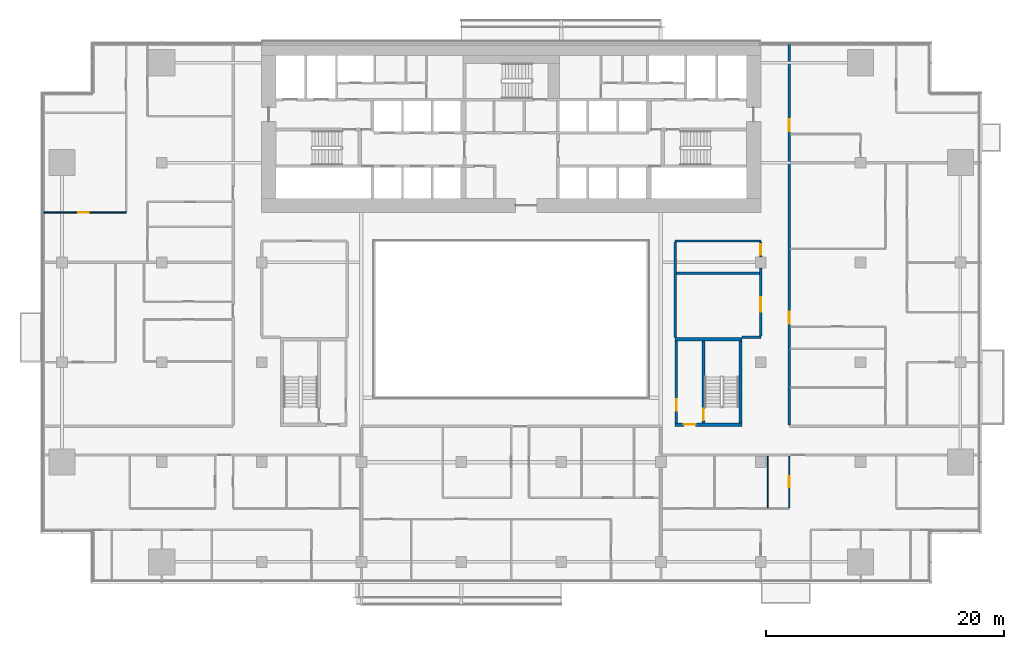
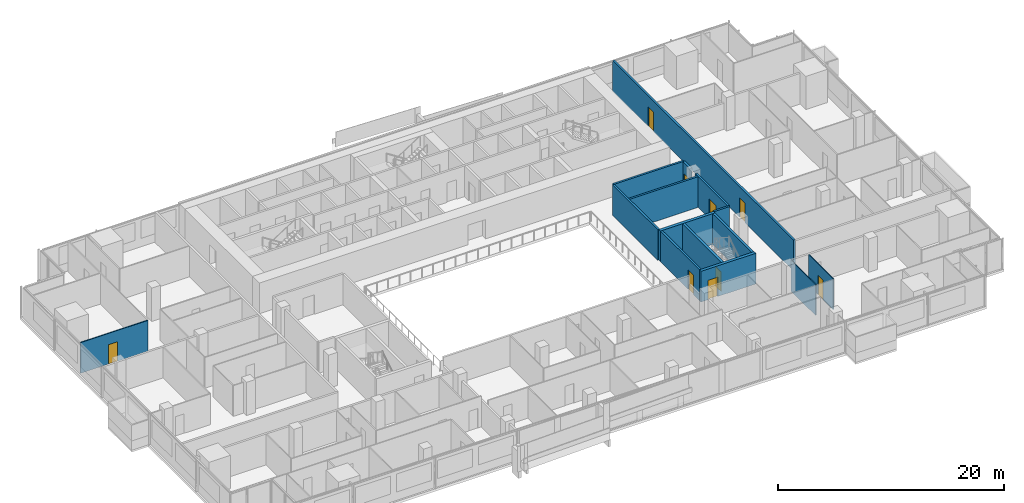
# One storey, part 19 of 26: 15 walls, 9 doors, 9 openings.
"""IFC4 building model written with IfcOpenShell, lengths in metres."""

from ifc_helpers import new_model, si_unit, direction, frame, frame_2d, origin, place, context, subcontext, project, spatial, rectangle, extrude, material, layer, layer_set, type_object, element, fill, save


model = new_model("IFC4")

# Units and contexts
model_context = context("Model", 3, precision=1e-05, world=origin(), true_north=direction((0.0, 1.0)))
body_context = subcontext(model_context, "Body", "Model", "MODEL_VIEW")
ifc_project = project(units=[si_unit("LENGTHUNIT", "METRE"), si_unit("AREAUNIT", "SQUARE_METRE"), si_unit("VOLUMEUNIT", "CUBIC_METRE"), si_unit("PLANEANGLEUNIT", "RADIAN"), si_unit("MASSUNIT", "GRAM", prefix="KILO")], contexts=[model_context])

# Site, building, storey
site_placement = place(None, origin())
site = spatial("IfcSite", under=ifc_project, at=site_placement, CompositionType="ELEMENT")
building_placement = place(site_placement, origin())
building = spatial("IfcBuilding", under=site, at=building_placement, Name="Saffron Gate Tower", CompositionType="ELEMENT")
storey_placement = place(building_placement, frame((0.0, 0.0, 62.39990234375)))
storey = spatial("IfcBuildingStorey", under=building, at=storey_placement, Name="L14", CompositionType="ELEMENT", Elevation=62.39990234375)

# Wall, opening, door
ifc_material_1 = material(Name="Gypsum board partition on steel studs", Category="steel")
ifc_layer_1 = layer(ifc_material_1, 0.199951171875)
ifc_layer_set_1 = layer_set([ifc_layer_1], Name="CW10 Core partition 200")
wall_type_1 = type_object("IfcWallType", Name="CW10 Core partition 200", PredefinedType="PARTITIONING", material=ifc_layer_set_1)
wall_1_placement = place(storey_placement, frame((101.5, 43.5, 0.0), z_axis=(0.0, 0.0, 1.0), x_axis=(0.0, 1.0, 0.0)))
wall_1 = element("IfcWall", 1, at=wall_1_placement, inside=storey, type_object=wall_type_1, Name="Wall CW10-L14-E-2", PredefinedType="PARTITIONING", context=body_context, shape_type="SweptSolid", body=[
    extrude(rectangle(XDim=6.89990234375, YDim=0.199951171875, at=frame_2d((3.449951171875, 0.0))), origin(), (0.0, 0.0, 1.0), 3.320068359375),
])
opening_1_placement = place(wall_1_placement, frame((1.0, 0.0, 0.0)))
opening_1 = element("IfcOpeningElement", 2, at=opening_1_placement, cuts=wall_1, Name="Opening CR-22", PredefinedType="OPENING", context=body_context, shape_type="SweptSolid", body=[
    extrude(rectangle(XDim=1.0, YDim=2.10009765625, at=frame_2d((0.5, 1.050048828125))), frame((0.0, 0.10986328125, 0.0), z_axis=(0.0, -1.0, 0.0), x_axis=(1.0, 0.0, 0.0)), (0.0, 0.0, 1.0), 0.219970703125),
])
ifc_material_2 = material(Name="Steel fire door set", Category="steel")
door_type_1 = type_object("IfcDoorType", Name="CD4 Lobby door 1000x2100 EI 120", OperationType="NOTDEFINED", PredefinedType="DOOR", material=ifc_material_2)
door_1_placement = place(opening_1_placement, origin())
door_1 = element("IfcDoor", 3, at=door_1_placement, inside=storey, type_object=door_type_1, Name="DOOR CR-22", OperationType="SINGLE_SWING_LEFT", OverallHeight=2.10009765625, OverallWidth=1.0, PredefinedType="DOOR", context=body_context, shape_type="SweptSolid", body=[
    extrude(rectangle(XDim=1.0, YDim=2.10009765625, at=frame_2d((0.5, 1.050048828125))), frame((0.0, 0.02490234375, 0.0), z_axis=(0.0, -1.0, 0.0), x_axis=(1.0, 0.0, 0.0)), (0.0, 0.0, 1.0), 0.050048828125),
])
fill(opening_1, door_1)

ifc_material_3 = material(Name="Concrete C70", Category="concrete")
ifc_layer_2 = layer(ifc_material_3, 0.25)
ifc_layer_set_2 = layer_set([ifc_layer_2], Name="CW2 RC core wall 250 C70")
wall_type_2 = type_object("IfcWallType", Name="CW2 RC core wall 250 C70", PredefinedType="SOLIDWALL", material=ifc_layer_set_2)
wall_2_placement = place(storey_placement, frame((103.77490234375, 43.5, 0.0), z_axis=(0.0, 0.0, 1.0), x_axis=(0.0, 1.0, 0.0)))
wall_2 = element("IfcWall", 4, at=wall_2_placement, inside=storey, type_object=wall_type_2, Name="Wall CW2-L14-E-3", PredefinedType="SOLIDWALL", context=body_context, shape_type="SweptSolid", body=[
    extrude(rectangle(XDim=6.89990234375, YDim=0.25, at=frame_2d((3.449951171875, 0.0))), origin(), (0.0, 0.0, 1.0), 3.320068359375),
])
opening_2_placement = place(wall_2_placement, frame((0.199951171875, 0.0, 0.0)))
opening_2 = element("IfcOpeningElement", 5, at=opening_2_placement, cuts=wall_2, Name="Opening CR-23", PredefinedType="OPENING", context=body_context, shape_type="SweptSolid", body=[
    extrude(rectangle(XDim=1.0, YDim=2.10009765625, at=frame_2d((0.5, 1.050048828125))), frame((0.0, 0.135009765625, 0.0), z_axis=(0.0, -1.0, 0.0), x_axis=(1.0, 0.0, 0.0)), (0.0, 0.0, 1.0), 0.27001953125),
])
door_type_2 = type_object("IfcDoorType", Name="CD5 Stair door 1000x2100 EI 120", OperationType="NOTDEFINED", PredefinedType="DOOR", material=ifc_material_2)
door_2_placement = place(opening_2_placement, origin())
door_2 = element("IfcDoor", 6, at=door_2_placement, inside=storey, type_object=door_type_2, Name="DOOR CR-23", OperationType="SINGLE_SWING_RIGHT", OverallHeight=2.10009765625, OverallWidth=1.0, PredefinedType="DOOR", context=body_context, shape_type="SweptSolid", body=[
    extrude(rectangle(XDim=1.0, YDim=2.10009765625, at=frame_2d((0.5, 1.050048828125))), frame((0.0, 0.02490234375, 0.0), z_axis=(0.0, -1.0, 0.0), x_axis=(1.0, 0.0, 0.0)), (0.0, 0.0, 1.0), 0.050048828125),
])
fill(opening_2, door_2)

# Wall
wall_3_placement = place(storey_placement, frame((106.875, 43.5, 0.0), z_axis=(0.0, 0.0, 1.0), x_axis=(0.0, 1.0, 0.0)))
element("IfcWall", 7, at=wall_3_placement, inside=storey, type_object=wall_type_2, Name="Wall CW2-L14-E-4", PredefinedType="SOLIDWALL", context=body_context, shape_type="SweptSolid", body=[
    extrude(rectangle(XDim=6.89990234375, YDim=0.25, at=frame_2d((3.449951171875, 0.0))), origin(), (0.0, 0.0, 1.0), 3.320068359375),
])

# Wall, opening, door
ifc_layer_3 = layer(ifc_material_3, 0.300048828125)
ifc_layer_set_3 = layer_set([ifc_layer_3], Name="CW5 RC core wall 300 C70")
wall_type_3 = type_object("IfcWallType", Name="CW5 RC core wall 300 C70", PredefinedType="SOLIDWALL", material=ifc_layer_set_3)
wall_4_placement = place(storey_placement, frame((101.39990234375, 43.35009765625, 0.0), z_axis=(0.0, 0.0, 1.0), x_axis=(1.0, 0.0, 0.0)))
wall_4 = element("IfcWall", 8, at=wall_4_placement, inside=storey, type_object=wall_type_3, Name="Wall CW5-L14-E-1", PredefinedType="SOLIDWALL", context=body_context, shape_type="SweptSolid", body=[
    extrude(rectangle(XDim=5.60009765625, YDim=0.300048828125, at=frame_2d((2.800048828125, 0.0))), origin(), (0.0, 0.0, 1.0), 3.320068359375),
])
opening_3_placement = place(wall_4_placement, frame((0.72509765625, 0.0, 0.0)))
opening_3 = element("IfcOpeningElement", 9, at=opening_3_placement, cuts=wall_4, Name="Opening CR-21", PredefinedType="OPENING", context=body_context, shape_type="SweptSolid", body=[
    extrude(rectangle(XDim=1.0, YDim=2.10009765625, at=frame_2d((0.5, 1.050048828125))), frame((0.0, 0.16015625, 0.0), z_axis=(0.0, -1.0, 0.0), x_axis=(1.0, 0.0, 0.0)), (0.0, 0.0, 1.0), 0.320068359375),
])
door_3_placement = place(opening_3_placement, origin())
door_3 = element("IfcDoor", 10, at=door_3_placement, inside=storey, type_object=door_type_1, Name="DOOR CR-21", OperationType="SINGLE_SWING_RIGHT", OverallHeight=2.10009765625, OverallWidth=1.0, PredefinedType="DOOR", context=body_context, shape_type="SweptSolid", body=[
    extrude(rectangle(XDim=1.0, YDim=2.10009765625, at=frame_2d((0.5, 1.050048828125))), frame((0.0, 0.02490234375, 0.0), z_axis=(0.0, -1.0, 0.0), x_axis=(1.0, 0.0, 0.0)), (0.0, 0.0, 1.0), 0.050048828125),
])
fill(opening_3, door_3)

# Wall
wall_5_placement = place(storey_placement, frame((101.39990234375, 50.550048828125, 0.0), z_axis=(0.0, 0.0, 1.0), x_axis=(1.0, 0.0, 0.0)))
element("IfcWall", 11, at=wall_5_placement, inside=storey, type_object=wall_type_3, Name="Wall CW5-L14-E-5", PredefinedType="SOLIDWALL", context=body_context, shape_type="SweptSolid", body=[
    extrude(rectangle(XDim=5.60009765625, YDim=0.300048828125, at=frame_2d((2.800048828125, 0.0))), origin(), (0.0, 0.0, 1.0), 3.320068359375),
])

# Wall, opening, door
ifc_material_4 = material(Name="Plasterboard on steel studs", Category="steel")
ifc_layer_4 = layer(ifc_material_4, 0.10009765625)
ifc_layer_set_4 = layer_set([ifc_layer_4], Name="PW1 Partition 100")
wall_type_4 = type_object("IfcWallType", Name="PW1 Partition 100", PredefinedType="PARTITIONING", material=ifc_layer_set_4)
wall_6_placement = place(storey_placement, frame((48.280029296875, 61.199951171875, 0.0), z_axis=(0.0, 0.0, 1.0), x_axis=(1.0, 0.0, 0.0)))
wall_6 = element("IfcWall", 12, at=wall_6_placement, inside=storey, type_object=wall_type_4, Name="Partition A3-42", PredefinedType="PARTITIONING", context=body_context, shape_type="SweptSolid", body=[
    extrude(rectangle(XDim=6.919921875, YDim=0.10009765625, at=frame_2d((3.4599609375, 0.0))), origin(), (0.0, 0.0, 1.0), 3.320068359375),
])
opening_4_placement = place(wall_6_placement, frame((2.8701171875, 0.0, 0.0)))
opening_4 = element("IfcOpeningElement", 13, at=opening_4_placement, cuts=wall_6, Name="Opening A3-27", PredefinedType="OPENING", context=body_context, shape_type="SweptSolid", body=[
    extrude(rectangle(XDim=0.89990234375, YDim=2.10009765625, at=frame_2d((0.449951171875, 1.050048828125))), frame((0.0, 0.06005859375, 0.0), z_axis=(0.0, -1.0, 0.0), x_axis=(1.0, 0.0, 0.0)), (0.0, 0.0, 1.0), 0.1201171875),
])
ifc_material_5 = material(Name="Timber door set", Category="wood")
door_type_3 = type_object("IfcDoorType", Name="RD1 Room door 900x2100", OperationType="NOTDEFINED", PredefinedType="DOOR", material=ifc_material_5)
door_4_placement = place(opening_4_placement, origin())
door_4 = element("IfcDoor", 14, at=door_4_placement, inside=storey, type_object=door_type_3, Name="Door A3-27", OperationType="SINGLE_SWING_LEFT", OverallHeight=2.10009765625, OverallWidth=0.89990234375, PredefinedType="DOOR", context=body_context, shape_type="SweptSolid", body=[
    extrude(rectangle(XDim=0.89990234375, YDim=2.10009765625, at=frame_2d((0.449951171875, 1.050048828125))), frame((0.0, 0.02490234375, 0.0), z_axis=(0.0, -1.0, 0.0), x_axis=(1.0, 0.0, 0.0)), (0.0, 0.0, 1.0), 0.050048828125),
])
fill(opening_4, door_4)

# Wall
wall_7_placement = place(storey_placement, frame((109.199951171875, 40.699951171875, 0.0), z_axis=(0.0, 0.0, 1.0), x_axis=(0.0, -1.0, 0.0)))
element("IfcWall", 15, at=wall_7_placement, inside=storey, type_object=wall_type_4, Name="Partition A3-91", PredefinedType="PARTITIONING", context=body_context, shape_type="SweptSolid", body=[
    extrude(rectangle(XDim=4.349853515625, YDim=0.10009765625, at=frame_2d((2.1748046875, 0.0))), origin(), (0.0, 0.0, 1.0), 3.320068359375),
])

# Wall, opening, door
wall_8_placement = place(storey_placement, frame((111.0, 36.35009765625, 0.0), z_axis=(0.0, 0.0, 1.0), x_axis=(0.0, 1.0, 0.0)))
wall_8 = element("IfcWall", 16, at=wall_8_placement, inside=storey, type_object=wall_type_4, Name="Partition A3-93", PredefinedType="PARTITIONING", context=body_context, shape_type="SweptSolid", body=[
    extrude(rectangle(XDim=4.349853515625, YDim=0.10009765625, at=frame_2d((2.1748046875, 0.0))), origin(), (0.0, 0.0, 1.0), 3.320068359375),
])
opening_5_placement = place(wall_8_placement, frame((1.75, 0.0, 0.0)))
opening_5 = element("IfcOpeningElement", 17, at=opening_5_placement, cuts=wall_8, Name="Opening A3-24", PredefinedType="OPENING", context=body_context, shape_type="SweptSolid", body=[
    extrude(rectangle(XDim=0.89990234375, YDim=2.10009765625, at=frame_2d((0.449951171875, 1.050048828125))), frame((0.0, 0.06005859375, 0.0), z_axis=(0.0, -1.0, 0.0), x_axis=(1.0, 0.0, 0.0)), (0.0, 0.0, 1.0), 0.1201171875),
])
door_5_placement = place(opening_5_placement, origin())
door_5 = element("IfcDoor", 18, at=door_5_placement, inside=storey, type_object=door_type_3, Name="Door A3-24", OperationType="SINGLE_SWING_RIGHT", OverallHeight=2.10009765625, OverallWidth=0.89990234375, PredefinedType="DOOR", context=body_context, shape_type="SweptSolid", body=[
    extrude(rectangle(XDim=0.89990234375, YDim=2.10009765625, at=frame_2d((0.449951171875, 1.050048828125))), frame((0.0, 0.02490234375, 0.0), z_axis=(0.0, -1.0, 0.0), x_axis=(1.0, 0.0, 0.0)), (0.0, 0.0, 1.0), 0.050048828125),
])
fill(opening_5, door_5)

# Walls
ifc_material_6 = material(Name="Clay brick masonry, rendered", Category="masonry")
ifc_layer_5 = layer(ifc_material_6, 0.199951171875)
ifc_layer_set_5 = layer_set([ifc_layer_5], Name="PW3 Corridor wall 200")
wall_type_5 = type_object("IfcWallType", Name="PW3 Corridor wall 200", PredefinedType="PARTITIONING", material=ifc_layer_set_5)
wall_9_placement = place(storey_placement, frame((107.0, 50.699951171875, 0.0), z_axis=(0.0, 0.0, 1.0), x_axis=(1.0, 0.0, 0.0)))
element("IfcWall", 19, at=wall_9_placement, inside=storey, type_object=wall_type_5, Name="Wall A3-27", PredefinedType="PARTITIONING", context=body_context, shape_type="SweptSolid", body=[
    extrude(rectangle(XDim=1.60009765625, YDim=0.199951171875, at=frame_2d((0.800048828125, 0.0))), origin(), (0.0, 0.0, 1.0), 3.320068359375),
])
wall_10_placement = place(storey_placement, frame((101.39990234375, 58.800048828125, 0.0), z_axis=(0.0, 0.0, 1.0), x_axis=(1.0, 0.0, 0.0)))
element("IfcWall", 20, at=wall_10_placement, inside=storey, type_object=wall_type_5, Name="Wall A3-40", PredefinedType="PARTITIONING", context=body_context, shape_type="SweptSolid", body=[
    extrude(rectangle(XDim=7.2001953125, YDim=0.199951171875, at=frame_2d((3.60009765625, 0.0))), origin(), (0.0, 0.0, 1.0), 3.320068359375),
])
wall_11_placement = place(storey_placement, frame((101.39990234375, 58.699951171875, 0.0), z_axis=(0.0, 0.0, 1.0), x_axis=(0.0, -1.0, 0.0)))
element("IfcWall", 21, at=wall_11_placement, inside=storey, type_object=wall_type_5, Name="Wall A3-85", PredefinedType="PARTITIONING", context=body_context, shape_type="SweptSolid", body=[
    extrude(rectangle(XDim=8.0, YDim=0.199951171875, at=frame_2d((4.0, 0.0))), origin(), (0.0, 0.0, 1.0), 3.320068359375),
])

# Wall, opening, door
wall_12_placement = place(storey_placement, frame((108.60009765625, 50.800048828125, 0.0), z_axis=(0.0, 0.0, 1.0), x_axis=(0.0, 1.0, 0.0)))
wall_12 = element("IfcWall", 22, at=wall_12_placement, inside=storey, type_object=wall_type_5, Name="Wall A3-87", PredefinedType="PARTITIONING", context=body_context, shape_type="SweptSolid", body=[
    extrude(rectangle(XDim=5.72998046875, YDim=0.199951171875, at=frame_2d((2.864990234375, 0.0))), origin(), (0.0, 0.0, 1.0), 3.320068359375),
])
opening_6_placement = place(wall_12_placement, frame((2.050048828125, 0.0, 0.0)))
opening_6 = element("IfcOpeningElement", 23, at=opening_6_placement, cuts=wall_12, Name="Opening A3-49", PredefinedType="OPENING", context=body_context, shape_type="SweptSolid", body=[
    extrude(rectangle(XDim=1.199951171875, YDim=2.10009765625, at=frame_2d((0.60009765625, 1.050048828125))), frame((0.0, 0.10986328125, 0.0), z_axis=(0.0, -1.0, 0.0), x_axis=(1.0, 0.0, 0.0)), (0.0, 0.0, 1.0), 0.219970703125),
])
door_type_4 = type_object("IfcDoorType", Name="HD1 Hall door 1200x2100", OperationType="NOTDEFINED", PredefinedType="DOOR", material=ifc_material_5)
door_6_placement = place(opening_6_placement, origin())
door_6 = element("IfcDoor", 24, at=door_6_placement, inside=storey, type_object=door_type_4, Name="Door A3-49", OperationType="SINGLE_SWING_RIGHT", OverallHeight=2.10009765625, OverallWidth=1.199951171875, PredefinedType="DOOR", context=body_context, shape_type="SweptSolid", body=[
    extrude(rectangle(XDim=1.199951171875, YDim=2.10009765625, at=frame_2d((0.60009765625, 1.050048828125))), frame((0.0, 0.02490234375, 0.0), z_axis=(0.0, -1.0, 0.0), x_axis=(1.0, 0.0, 0.0)), (0.0, 0.0, 1.0), 0.050048828125),
])
fill(opening_6, door_6)

wall_13_placement = place(storey_placement, frame((108.60009765625, 57.469970703125, 0.0), z_axis=(0.0, 0.0, 1.0), x_axis=(0.0, 1.0, 0.0)))
wall_13 = element("IfcWall", 25, at=wall_13_placement, inside=storey, type_object=wall_type_5, Name="Wall A3-88", PredefinedType="PARTITIONING", context=body_context, shape_type="SweptSolid", body=[
    extrude(rectangle(XDim=1.22998046875, YDim=0.199951171875, at=frame_2d((0.614990234375, 0.0))), origin(), (0.0, 0.0, 1.0), 3.320068359375),
])
opening_7_placement = place(wall_13_placement, frame((0.1650390625, 0.0, 0.0)))
opening_7 = element("IfcOpeningElement", 26, at=opening_7_placement, cuts=wall_13, Name="Opening A3-36", PredefinedType="OPENING", context=body_context, shape_type="SweptSolid", body=[
    extrude(rectangle(XDim=0.89990234375, YDim=2.10009765625, at=frame_2d((0.449951171875, 1.050048828125))), frame((0.0, 0.10986328125, 0.0), z_axis=(0.0, -1.0, 0.0), x_axis=(1.0, 0.0, 0.0)), (0.0, 0.0, 1.0), 0.219970703125),
])
door_7_placement = place(opening_7_placement, origin())
door_7 = element("IfcDoor", 27, at=door_7_placement, inside=storey, type_object=door_type_3, Name="Door A3-36", OperationType="SINGLE_SWING_RIGHT", OverallHeight=2.10009765625, OverallWidth=0.89990234375, PredefinedType="DOOR", context=body_context, shape_type="SweptSolid", body=[
    extrude(rectangle(XDim=0.89990234375, YDim=2.10009765625, at=frame_2d((0.449951171875, 1.050048828125))), frame((0.0, 0.02490234375, 0.0), z_axis=(0.0, -1.0, 0.0), x_axis=(1.0, 0.0, 0.0)), (0.0, 0.0, 1.0), 0.050048828125),
])
fill(opening_7, door_7)

# Wall, openings, doors
wall_14_placement = place(storey_placement, frame((111.0, 75.320068359375, 0.0), z_axis=(0.0, 0.0, 1.0), x_axis=(0.0, -1.0, 0.0)))
wall_14 = element("IfcWall", 28, at=wall_14_placement, inside=storey, type_object=wall_type_5, Name="Wall A3-92", PredefinedType="PARTITIONING", context=body_context, shape_type="SweptSolid", body=[
    extrude(rectangle(XDim=32.02001953125, YDim=0.199951171875, at=frame_2d((16.010009765625, 0.0))), origin(), (0.0, 0.0, 1.0), 3.320068359375),
])
opening_8_placement = place(wall_14_placement, frame((6.27001953125, 0.0, 0.0)))
opening_8 = element("IfcOpeningElement", 29, at=opening_8_placement, cuts=wall_14, Name="Opening A3-7", PredefinedType="OPENING", context=body_context, shape_type="SweptSolid", body=[
    extrude(rectangle(XDim=1.0, YDim=2.10009765625, at=frame_2d((0.5, 1.050048828125))), frame((0.0, 0.10986328125, 0.0), z_axis=(0.0, -1.0, 0.0), x_axis=(1.0, 0.0, 0.0)), (0.0, 0.0, 1.0), 0.219970703125),
])
opening_9_placement = place(wall_14_placement, frame((22.469970703125, 0.0, 0.0)))
opening_9 = element("IfcOpeningElement", 30, at=opening_9_placement, cuts=wall_14, Name="Opening A3-6", PredefinedType="OPENING", context=body_context, shape_type="SweptSolid", body=[
    extrude(rectangle(XDim=1.0, YDim=2.10009765625, at=frame_2d((0.5, 1.050048828125))), frame((0.0, 0.10986328125, 0.0), z_axis=(0.0, -1.0, 0.0), x_axis=(1.0, 0.0, 0.0)), (0.0, 0.0, 1.0), 0.219970703125),
])
ifc_material_7 = material(Name="Timber fire door set", Category="wood")
door_type_5 = type_object("IfcDoorType", Name="FD1 Flat entry door 1000x2100", OperationType="NOTDEFINED", PredefinedType="DOOR", material=ifc_material_7)
door_8_placement = place(opening_8_placement, origin())
door_8 = element("IfcDoor", 31, at=door_8_placement, inside=storey, type_object=door_type_5, Name="Door A3-7", OperationType="SINGLE_SWING_RIGHT", OverallHeight=2.10009765625, OverallWidth=1.0, PredefinedType="DOOR", context=body_context, shape_type="SweptSolid", body=[
    extrude(rectangle(XDim=1.0, YDim=2.10009765625, at=frame_2d((0.5, 1.050048828125))), frame((0.0, 0.02490234375, 0.0), z_axis=(0.0, -1.0, 0.0), x_axis=(1.0, 0.0, 0.0)), (0.0, 0.0, 1.0), 0.050048828125),
])
fill(opening_8, door_8)
door_9_placement = place(opening_9_placement, origin())
door_9 = element("IfcDoor", 32, at=door_9_placement, inside=storey, type_object=door_type_5, Name="Door A3-6", OperationType="SINGLE_SWING_LEFT", OverallHeight=2.10009765625, OverallWidth=1.0, PredefinedType="DOOR", context=body_context, shape_type="SweptSolid", body=[
    extrude(rectangle(XDim=1.0, YDim=2.10009765625, at=frame_2d((0.5, 1.050048828125))), frame((0.0, 0.02490234375, 0.0), z_axis=(0.0, -1.0, 0.0), x_axis=(1.0, 0.0, 0.0)), (0.0, 0.0, 1.0), 0.050048828125),
])
fill(opening_9, door_9)

# Wall
ifc_layer_6 = layer(ifc_material_6, 0.199951171875)
ifc_layer_set_6 = layer_set([ifc_layer_6], Name="PW5 Room wall 200")
wall_type_6 = type_object("IfcWallType", Name="PW5 Room wall 200", PredefinedType="PARTITIONING", material=ifc_layer_set_6)
wall_15_placement = place(storey_placement, frame((101.5, 56.10009765625, 0.0), z_axis=(0.0, 0.0, 1.0), x_axis=(1.0, 0.0, 0.0)))
element("IfcWall", 33, at=wall_15_placement, inside=storey, type_object=wall_type_6, Name="Wall A3-32", PredefinedType="PARTITIONING", context=body_context, shape_type="SweptSolid", body=[
    extrude(rectangle(XDim=7.0, YDim=0.199951171875, at=frame_2d((3.5, 0.0))), origin(), (0.0, 0.0, 1.0), 3.320068359375),
])

save(model, "model.ifc")
